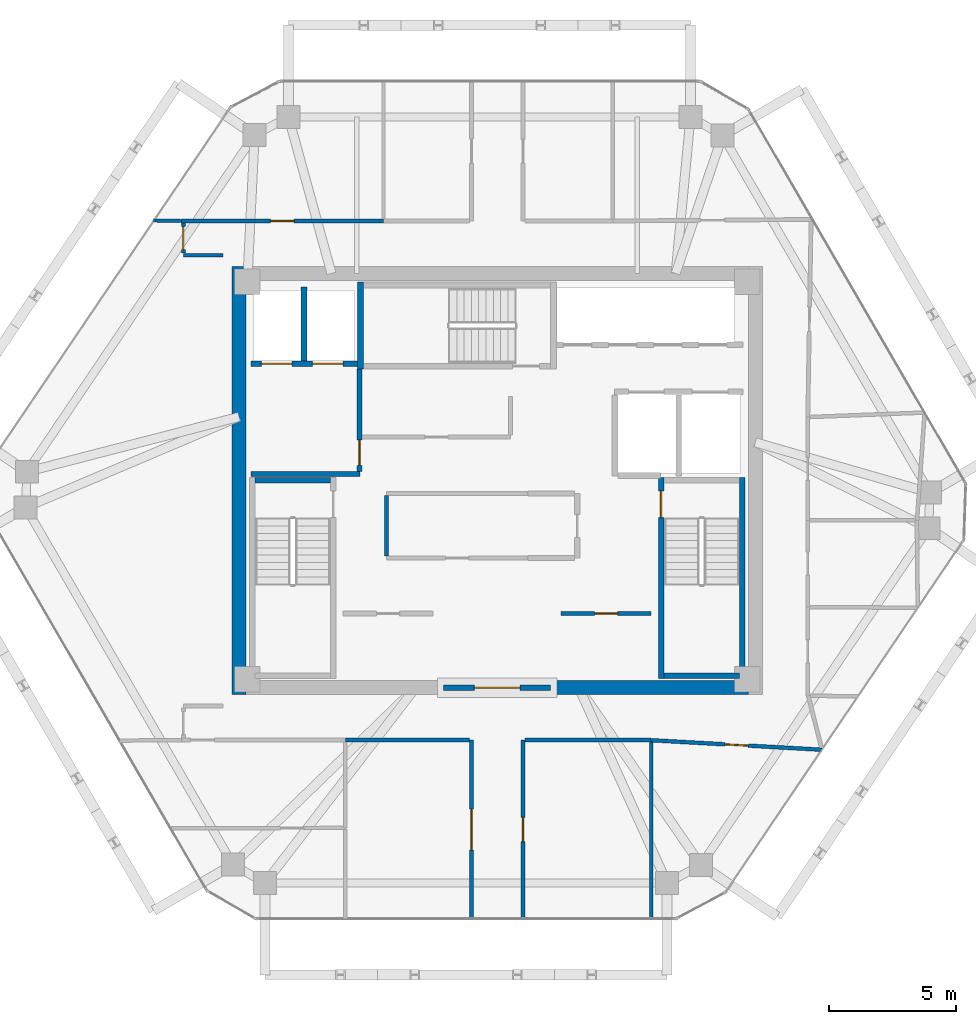
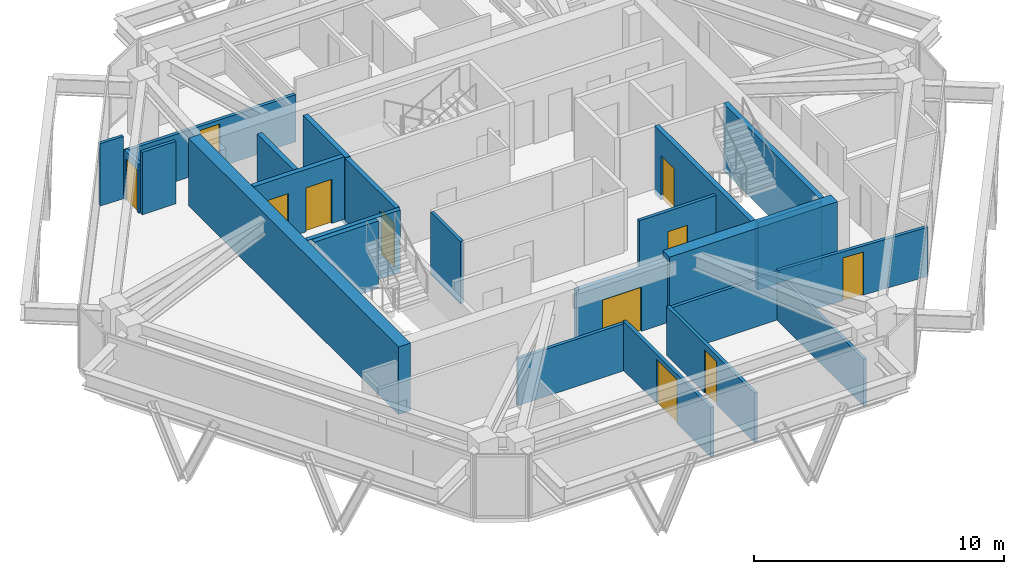
# One storey, part 8 of 11: 24 walls, 11 doors, 11 openings.
"""IFC4 building model written with IfcOpenShell, lengths in metres."""

from ifc_helpers import new_model, si_unit, direction, frame, frame_2d, origin, place, context, subcontext, project, spatial, rectangle, extrude, source, transform, mapped, material, layer, layer_set, type_object, type_shapes, element, fill, save


model = new_model("IFC4")

# Units and contexts
model_context = context("Model", 3, precision=1e-05, world=origin(), true_north=direction((0.0, 1.0)))
body_context = subcontext(model_context, "Body", "Model", "MODEL_VIEW")
ifc_project = project(units=[si_unit("LENGTHUNIT", "METRE"), si_unit("AREAUNIT", "SQUARE_METRE"), si_unit("VOLUMEUNIT", "CUBIC_METRE"), si_unit("PLANEANGLEUNIT", "RADIAN"), si_unit("MASSUNIT", "GRAM", prefix="KILO")], contexts=[model_context])

# Site, building, storey
site_placement = place(None, origin())
site = spatial("IfcSite", under=ifc_project, at=site_placement, CompositionType="ELEMENT")
building_placement = place(site_placement, origin())
building = spatial("IfcBuilding", under=site, at=building_placement, Name="Durnholm Broadcast Tower", CompositionType="ELEMENT")
storey_placement = place(building_placement, frame((0.0, 0.0, 238.10009765625)))
storey = spatial("IfcBuildingStorey", under=building, at=storey_placement, Name="L66", CompositionType="ELEMENT", Elevation=238.10009765625)

# Walls
ifc_material_1 = material(Name="Concrete C70/85", Category="concrete")
ifc_layer_1 = layer(ifc_material_1, 0.550048828125)
ifc_layer_set_1 = layer_set([ifc_layer_1], Name="Concrete C70/85")
wall_type_1 = type_object("IfcWallType", Name="WALL-CW-550", PredefinedType="SHEAR", material=ifc_layer_set_1)
wall_1_placement = place(storey_placement, frame((-10.125, -8.39990234375, 0.0), z_axis=(0.0, 0.0, 1.0), x_axis=(0.0, 1.0, 0.0)))
element("IfcWall", 1, at=wall_1_placement, inside=storey, type_object=wall_type_1, Name="L66 central core shear wall CW-WEST", PredefinedType="SHEAR", context=body_context, shape_type="SweptSolid", body=[
    extrude(rectangle(XDim=16.7998046875, YDim=0.550048828125, at=frame_2d((8.39990234375, 0.0))), origin(), (0.0, 0.0, 1.0), 3.2998046875),
])
wall_2_placement = place(storey_placement, frame((2.10009765625, -8.125, 0.0), z_axis=(0.0, 0.0, 1.0), x_axis=(1.0, 0.0, 0.0)))
element("IfcWall", 2, at=wall_2_placement, inside=storey, type_object=wall_type_1, Name="L66 central core shear wall CW-S2", PredefinedType="SHEAR", context=body_context, shape_type="SweptSolid", body=[
    extrude(rectangle(XDim=7.75, YDim=0.550048828125, at=frame_2d((3.875, 0.0))), origin(), (0.0, 0.0, 1.0), 3.2998046875),
])

# Wall, opening, door
ifc_material_2 = material(Name="Fire-Rated Gypsum Shaftwall", Category="concrete")
ifc_layer_2 = layer(ifc_material_2, 0.199951171875)
ifc_layer_set_2 = layer_set([ifc_layer_2], Name="Fire-Rated Gypsum Shaftwall")
wall_type_2 = type_object("IfcWallType", Name="WALL-LOB-200", PredefinedType="SOLIDWALL", material=ifc_layer_set_2)
wall_3_placement = place(storey_placement, frame((-2.10009765625, -8.125, 0.0), z_axis=(0.0, 0.0, 1.0), x_axis=(1.0, 0.0, 0.0)))
wall_3 = element("IfcWall", 3, at=wall_3_placement, inside=storey, type_object=wall_type_2, Name="L66 south core lobby fire screen", PredefinedType="SOLIDWALL", context=body_context, shape_type="SweptSolid", body=[
    extrude(rectangle(XDim=4.2001953125, YDim=0.199951171875, at=frame_2d((2.10009765625, 0.0))), origin(), (0.0, 0.0, 1.0), 3.044921875),
])
opening_1_placement = place(wall_3_placement, frame((1.199951171875, 0.0, 0.0)))
opening_1 = element("IfcOpeningElement", 4, at=opening_1_placement, cuts=wall_3, Name="Opening DP-60", PredefinedType="OPENING", context=body_context, shape_type="SweptSolid", body=[
    extrude(rectangle(XDim=1.800048828125, YDim=2.14990234375, at=frame_2d((0.89990234375, 1.074951171875))), frame((0.0, 0.10986328125, 0.0), z_axis=(0.0, -1.0, 0.0), x_axis=(1.0, 0.0, 0.0)), (0.0, 0.0, 1.0), 0.219970703125),
])
ifc_material_3 = material(Name="Fire-Rated Double Corridor Door", Category="steel")
ifc_layer_3 = layer(ifc_material_3, 0.050048828125)
ifc_layer_set_3 = layer_set([ifc_layer_3], Name="Fire-Rated Double Corridor Door")
door_type_1 = type_object("IfcDoorType", Name="DOOR-PAIR-FD60", OperationType="DOUBLE_DOOR_SINGLE_SWING", PredefinedType="DOOR", material=ifc_layer_set_3)
shared_shape_1 = source(origin(), body_context, "Body", "SweptSolid", [
    extrude(rectangle(XDim=1.800048828125, YDim=2.14990234375, at=frame_2d((0.89990234375, 1.074951171875))), frame((0.0, 0.02490234375, 0.0), z_axis=(0.0, -1.0, 0.0), x_axis=(1.0, 0.0, 0.0)), (0.0, 0.0, 1.0), 0.050048828125),
])
type_shapes(door_type_1, [shared_shape_1])
door_1_placement = place(opening_1_placement, origin())
door_1 = element("IfcDoor", 5, at=door_1_placement, inside=storey, type_object=door_type_1, Name="L66 south core lobby double fire door", OperationType="DOUBLE_DOOR_SINGLE_SWING", OverallHeight=2.14990234375, OverallWidth=1.800048828125, PredefinedType="DOOR", context=body_context, shape_type="MappedRepresentation", body=[
    mapped(shared_shape_1, transform((0.0, 0.0, 0.0), x_axis=(1.0, 0.0, 0.0), y_axis=(0.0, 1.0, 0.0), z_axis=(0.0, 0.0, 1.0), scale=1.0)),
])
fill(opening_1, door_1)

# Wall
wall_4_placement = place(storey_placement, frame((-9.64990234375, 0.25, 0.0), z_axis=(0.0, 0.0, 1.0), x_axis=(1.0, 0.0, 0.0)))
element("IfcWall", 6, at=wall_4_placement, inside=storey, type_object=wall_type_2, Name="L66 Fire Service Access Elevator lobby south wall", PredefinedType="SOLIDWALL", context=body_context, shape_type="SweptSolid", body=[
    extrude(rectangle(XDim=4.27001953125, YDim=0.199951171875, at=frame_2d((2.135009765625, 0.0))), origin(), (0.0, 0.0, 1.0), 3.044921875),
])

# Wall, opening, door
wall_5_placement = place(storey_placement, frame((-5.39990234375, 0.35400390625, 0.0), z_axis=(0.0, 0.0, 1.0), x_axis=(0.0, 1.0, 0.0)))
wall_5 = element("IfcWall", 7, at=wall_5_placement, inside=storey, type_object=wall_type_2, Name="L66 Fire Service Access Elevator lobby east fire wall", PredefinedType="SOLIDWALL", context=body_context, shape_type="SweptSolid", body=[
    extrude(rectangle(XDim=4.02587890625, YDim=0.199951171875, at=frame_2d((2.012939453125, 0.0))), origin(), (0.0, 0.0, 1.0), 3.044921875),
])
opening_2_placement = place(wall_5_placement, frame((0.24609375, 0.0, 0.0)))
opening_2 = element("IfcOpeningElement", 8, at=opening_2_placement, cuts=wall_5, Name="Opening DL-60L", PredefinedType="OPENING", context=body_context, shape_type="SweptSolid", body=[
    extrude(rectangle(XDim=1.0, YDim=2.14990234375, at=frame_2d((0.5, 1.074951171875))), frame((0.0, 0.10986328125, 0.0), z_axis=(0.0, -1.0, 0.0), x_axis=(1.0, 0.0, 0.0)), (0.0, 0.0, 1.0), 0.219970703125),
])
ifc_material_4 = material(Name="Fire-Rated Timber/Steel Door", Category="steel")
ifc_layer_4 = layer(ifc_material_4, 0.050048828125)
ifc_layer_set_4 = layer_set([ifc_layer_4], Name="Fire-Rated Timber/Steel Door")
door_type_2 = type_object("IfcDoorType", Name="DOOR-LOB-FD60-L", OperationType="NOTDEFINED", PredefinedType="DOOR", material=ifc_layer_set_4)
shared_shape_2 = source(origin(), body_context, "Body", "SweptSolid", [
    extrude(rectangle(XDim=1.0, YDim=2.14990234375, at=frame_2d((0.5, 1.074951171875))), frame((0.0, 0.02490234375, 0.0), z_axis=(0.0, -1.0, 0.0), x_axis=(1.0, 0.0, 0.0)), (0.0, 0.0, 1.0), 0.050048828125),
])
type_shapes(door_type_2, [shared_shape_2])
door_2_placement = place(opening_2_placement, origin())
door_2 = element("IfcDoor", 9, at=door_2_placement, inside=storey, type_object=door_type_2, Name="L66 Fire Service Access Elevator lobby smoke door", OperationType="SINGLE_SWING_LEFT", OverallHeight=2.14990234375, OverallWidth=1.0, PredefinedType="DOOR", context=body_context, shape_type="MappedRepresentation", body=[
    mapped(shared_shape_2, transform((0.0, 0.0, 0.0), x_axis=(1.0, 0.0, 0.0), y_axis=(0.0, 1.0, 0.0), z_axis=(0.0, 0.0, 1.0), scale=1.0)),
])
fill(opening_2, door_2)

# Walls
ifc_material_5 = material(Name="Gypsum Metal Stud Partition", Category="concrete")
ifc_layer_5 = layer(ifc_material_5, 0.135009765625)
ifc_layer_set_5 = layer_set([ifc_layer_5], Name="Gypsum Metal Stud Partition")
wall_type_3 = type_object("IfcWallType", Name="WALL-PART-135", PredefinedType="PARTITIONING", material=ifc_layer_set_5)
wall_6_placement = place(storey_placement, frame((-12.389892578125, 10.181396484375, 0.0), z_axis=(0.0, 0.0, 1.0), x_axis=(-0.999812128272, 0.019383192748, 0.0)))
element("IfcWall", 10, at=wall_6_placement, inside=storey, type_object=wall_type_3, Name="L66 room dividing partition 9.19", PredefinedType="PARTITIONING", context=body_context, shape_type="SweptSolid", body=[
    extrude(rectangle(XDim=1.083251953125, YDim=0.135009765625, at=frame_2d((0.54150390625, 0.0))), origin(), (0.0, 0.0, 1.0), 3.044921875),
])
wall_7_placement = place(storey_placement, frame((6.0400390625, -10.263671875, 0.0), z_axis=(0.0, 0.0, 1.0), x_axis=(0.0, -1.0, 0.0)))
element("IfcWall", 11, at=wall_7_placement, inside=storey, type_object=wall_type_3, Name="L66 room dividing partition 16.17", PredefinedType="PARTITIONING", context=body_context, shape_type="SweptSolid", body=[
    extrude(rectangle(XDim=6.92236328125, YDim=0.135009765625, at=frame_2d((3.461181640625, 0.0))), origin(), (0.0, 0.0, 1.0), 2.30126953125),
])

# Wall, opening, door
ifc_material_6 = material(Name="Acoustic Gypsum Stud Partition", Category="concrete")
ifc_layer_6 = layer(ifc_material_6, 0.14990234375)
ifc_layer_set_6 = layer_set([ifc_layer_6], Name="Acoustic Gypsum Stud Partition")
wall_type_4 = type_object("IfcWallType", Name="WALL-PART-150", PredefinedType="PARTITIONING", material=ifc_layer_set_6)
wall_8_placement = place(storey_placement, frame((2.510009765625, -5.2099609375, 0.0), z_axis=(0.0, 0.0, 1.0), x_axis=(1.0, 0.0, 0.0)))
wall_8 = element("IfcWall", 12, at=wall_8_placement, inside=storey, type_object=wall_type_4, Name="L66 Editorial Beverage Pantry corridor partition", PredefinedType="PARTITIONING", context=body_context, shape_type="SweptSolid", body=[
    extrude(rectangle(XDim=3.530029296875, YDim=0.14990234375, at=frame_2d((1.76513671875, 0.0))), origin(), (0.0, 0.0, 1.0), 3.044921875),
])
opening_3_placement = place(wall_8_placement, frame((1.31494140625, 0.0, 0.0)))
opening_3 = element("IfcOpeningElement", 13, at=opening_3_placement, cuts=wall_8, Name="Opening DC-60R", PredefinedType="OPENING", context=body_context, shape_type="SweptSolid", body=[
    extrude(rectangle(XDim=0.89990234375, YDim=2.050048828125, at=frame_2d((0.449951171875, 1.02490234375))), frame((0.0, 0.0849609375, 0.0), z_axis=(0.0, -1.0, 0.0), x_axis=(1.0, 0.0, 0.0)), (0.0, 0.0, 1.0), 0.169921875),
])
ifc_material_7 = material(Name="Fire-Rated Core Service Door", Category="steel")
ifc_layer_7 = layer(ifc_material_7, 0.050048828125)
ifc_layer_set_7 = layer_set([ifc_layer_7], Name="Fire-Rated Core Service Door")
door_type_3 = type_object("IfcDoorType", Name="DOOR-CORE-FD60-R", OperationType="NOTDEFINED", PredefinedType="DOOR", material=ifc_layer_set_7)
shared_shape_3 = source(origin(), body_context, "Body", "SweptSolid", [
    extrude(rectangle(XDim=0.89990234375, YDim=2.050048828125, at=frame_2d((0.449951171875, 1.02490234375))), frame((0.0, 0.02490234375, 0.0), z_axis=(0.0, -1.0, 0.0), x_axis=(1.0, 0.0, 0.0)), (0.0, 0.0, 1.0), 0.050048828125),
])
type_shapes(door_type_3, [shared_shape_3])
door_3_placement = place(opening_3_placement, origin())
door_3 = element("IfcDoor", 14, at=door_3_placement, inside=storey, type_object=door_type_3, Name="L66 Editorial Beverage Pantry entrance door", OperationType="SINGLE_SWING_RIGHT", OverallHeight=2.050048828125, OverallWidth=0.89990234375, PredefinedType="DOOR", context=body_context, shape_type="MappedRepresentation", body=[
    mapped(shared_shape_3, transform((0.0, 0.0, 0.0), x_axis=(1.0, 0.0, 0.0), y_axis=(0.0, 1.0, 0.0), z_axis=(0.0, 0.0, 1.0), scale=1.0)),
])
fill(opening_3, door_3)

# Wall
wall_9_placement = place(storey_placement, frame((-4.340087890625, -2.9609375, 0.0), z_axis=(0.0, 0.0, 1.0), x_axis=(0.0, 1.0, 0.0)))
element("IfcWall", 15, at=wall_9_placement, inside=storey, type_object=wall_type_4, Name="L66 Broadcast Equipment Store corridor partition", PredefinedType="PARTITIONING", context=body_context, shape_type="SweptSolid", body=[
    extrude(rectangle(XDim=2.371826171875, YDim=0.14990234375, at=frame_2d((1.18603515625, 0.0))), origin(), (0.0, 0.0, 1.0), 3.044921875),
])

# Wall, opening, door
wall_10_placement = place(storey_placement, frame((-4.4599609375, 10.179931640625, 0.0), z_axis=(0.0, 0.0, 1.0), x_axis=(-1.0, 0.0, 0.0)))
wall_10 = element("IfcWall", 16, at=wall_10_placement, inside=storey, type_object=wall_type_4, Name="L66 Open Plan Broadcast Workspace 2 corridor partition", PredefinedType="PARTITIONING", context=body_context, shape_type="SweptSolid", body=[
    extrude(rectangle(XDim=7.929931640625, YDim=0.14990234375, at=frame_2d((3.96484375, 0.0))), origin(), (0.0, 0.0, 1.0), 2.30126953125),
])
opening_4_placement = place(wall_10_placement, frame((3.5048828125, 0.0, 0.0)))
opening_4 = element("IfcOpeningElement", 17, at=opening_4_placement, cuts=wall_10, Name="Opening DR-92L", PredefinedType="OPENING", context=body_context, shape_type="SweptSolid", body=[
    extrude(rectangle(XDim=0.919921875, YDim=2.10009765625, at=frame_2d((0.4599609375, 1.050048828125))), frame((0.0, 0.0849609375, 0.0), z_axis=(0.0, -1.0, 0.0), x_axis=(1.0, 0.0, 0.0)), (0.0, 0.0, 1.0), 0.169921875),
])
ifc_material_8 = material(Name="Oak Veneer Office Door", Category="wood")
ifc_layer_8 = layer(ifc_material_8, 0.050048828125)
ifc_layer_set_8 = layer_set([ifc_layer_8], Name="Oak Veneer Office Door")
door_type_4 = type_object("IfcDoorType", Name="DOOR-RM-920L", OperationType="NOTDEFINED", PredefinedType="DOOR", material=ifc_layer_set_8)
shared_shape_4 = source(origin(), body_context, "Body", "SweptSolid", [
    extrude(rectangle(XDim=0.919921875, YDim=2.10009765625, at=frame_2d((0.4599609375, 1.050048828125))), frame((0.0, 0.02490234375, 0.0), z_axis=(0.0, -1.0, 0.0), x_axis=(1.0, 0.0, 0.0)), (0.0, 0.0, 1.0), 0.050048828125),
])
type_shapes(door_type_4, [shared_shape_4])
door_4_placement = place(opening_4_placement, origin())
door_4 = element("IfcDoor", 18, at=door_4_placement, inside=storey, type_object=door_type_4, Name="L66 Open Plan Broadcast Workspace 2 entrance door", OperationType="SINGLE_SWING_LEFT", OverallHeight=2.10009765625, OverallWidth=0.919921875, PredefinedType="DOOR", context=body_context, shape_type="MappedRepresentation", body=[
    mapped(shared_shape_4, transform((0.0, 0.0, 0.0), x_axis=(1.0, 0.0, 0.0), y_axis=(0.0, 1.0, 0.0), z_axis=(0.0, 0.0, 1.0), scale=1.0)),
])
fill(opening_4, door_4)

wall_11_placement = place(storey_placement, frame((-1.010009765625, -10.179931640625, 0.0), z_axis=(0.0, 0.0, 1.0), x_axis=(0.0, -1.0, 0.0)))
wall_11 = element("IfcWall", 19, at=wall_11_placement, inside=storey, type_object=wall_type_4, Name="L66 International Council Hall corridor partition", PredefinedType="PARTITIONING", context=body_context, shape_type="SweptSolid", body=[
    extrude(rectangle(XDim=7.006103515625, YDim=0.14990234375, at=frame_2d((3.5029296875, 0.0))), origin(), (0.0, 0.0, 1.0), 2.398681640625),
])
opening_5_placement = place(wall_11_placement, frame((2.702880859375, 0.0, 0.0)))
opening_5 = element("IfcOpeningElement", 20, at=opening_5_placement, cuts=wall_11, Name="Opening DST-160", PredefinedType="OPENING", context=body_context, shape_type="SweptSolid", body=[
    extrude(rectangle(XDim=1.60009765625, YDim=2.14990234375, at=frame_2d((0.800048828125, 1.074951171875))), frame((0.0, 0.0849609375, 0.0), z_axis=(0.0, -1.0, 0.0), x_axis=(1.0, 0.0, 0.0)), (0.0, 0.0, 1.0), 0.169921875),
])
ifc_material_9 = material(Name="Acoustic Broadcast Studio Sound-Lock Door", Category="steel")
ifc_layer_9 = layer(ifc_material_9, 0.050048828125)
ifc_layer_set_9 = layer_set([ifc_layer_9], Name="Acoustic Broadcast Studio Sound-Lock Door")
door_type_5 = type_object("IfcDoorType", Name="DOOR-STU-1600", OperationType="DOUBLE_DOOR_SINGLE_SWING", PredefinedType="DOOR", material=ifc_layer_set_9)
shared_shape_5 = source(origin(), body_context, "Body", "SweptSolid", [
    extrude(rectangle(XDim=1.60009765625, YDim=2.14990234375, at=frame_2d((0.800048828125, 1.074951171875))), frame((0.0, 0.02490234375, 0.0), z_axis=(0.0, -1.0, 0.0), x_axis=(1.0, 0.0, 0.0)), (0.0, 0.0, 1.0), 0.050048828125),
])
type_shapes(door_type_5, [shared_shape_5])
door_5_placement = place(opening_5_placement, origin())
door_5 = element("IfcDoor", 21, at=door_5_placement, inside=storey, type_object=door_type_5, Name="L66 International Council Hall entrance door", OperationType="DOUBLE_DOOR_SINGLE_SWING", OverallHeight=2.14990234375, OverallWidth=1.60009765625, PredefinedType="DOOR", context=body_context, shape_type="MappedRepresentation", body=[
    mapped(shared_shape_5, transform((0.0, 0.0, 0.0), x_axis=(1.0, 0.0, 0.0), y_axis=(0.0, 1.0, 0.0), z_axis=(0.0, 0.0, 1.0), scale=1.0)),
])
fill(opening_5, door_5)

# Wall
wall_12_placement = place(storey_placement, frame((-5.9599609375, -10.179931640625, 0.0), z_axis=(0.0, 0.0, 1.0), x_axis=(1.0, 0.0, 0.0)))
element("IfcWall", 22, at=wall_12_placement, inside=storey, type_object=wall_type_4, Name="L66 International Council Hall corridor partition", PredefinedType="PARTITIONING", context=body_context, shape_type="SweptSolid", body=[
    extrude(rectangle(XDim=4.870849609375, YDim=0.14990234375, at=frame_2d((2.435546875, 0.0))), origin(), (0.0, 0.0, 1.0), 2.30126953125),
])

# Wall, opening, door
wall_13_placement = place(storey_placement, frame((1.010009765625, -17.18603515625, 0.0), z_axis=(0.0, 0.0, 1.0), x_axis=(0.0, 1.0, 0.0)))
wall_13 = element("IfcWall", 23, at=wall_13_placement, inside=storey, type_object=wall_type_4, Name="L66 Global Bureaus Meeting Room corridor partition", PredefinedType="PARTITIONING", context=body_context, shape_type="SweptSolid", body=[
    extrude(rectangle(XDim=7.006103515625, YDim=0.14990234375, at=frame_2d((3.5029296875, 0.0))), origin(), (0.0, 0.0, 1.0), 2.398681640625),
])
opening_6_placement = place(wall_13_placement, frame((3.028076171875, 0.0, 0.0)))
opening_6 = element("IfcOpeningElement", 24, at=opening_6_placement, cuts=wall_13, Name="Opening DR-95L", PredefinedType="OPENING", context=body_context, shape_type="SweptSolid", body=[
    extrude(rectangle(XDim=0.949951171875, YDim=2.10009765625, at=frame_2d((0.47509765625, 1.050048828125))), frame((0.0, 0.0849609375, 0.0), z_axis=(0.0, -1.0, 0.0), x_axis=(1.0, 0.0, 0.0)), (0.0, 0.0, 1.0), 0.169921875),
])
ifc_material_10 = material(Name="Acoustic Oak Veneer Timber Door", Category="wood")
ifc_layer_10 = layer(ifc_material_10, 0.050048828125)
ifc_layer_set_10 = layer_set([ifc_layer_10], Name="Acoustic Oak Veneer Timber Door")
door_type_6 = type_object("IfcDoorType", Name="DOOR-RM-950L", OperationType="NOTDEFINED", PredefinedType="DOOR", material=ifc_layer_set_10)
shared_shape_6 = source(origin(), body_context, "Body", "SweptSolid", [
    extrude(rectangle(XDim=0.949951171875, YDim=2.10009765625, at=frame_2d((0.47509765625, 1.050048828125))), frame((0.0, 0.02490234375, 0.0), z_axis=(0.0, -1.0, 0.0), x_axis=(1.0, 0.0, 0.0)), (0.0, 0.0, 1.0), 0.050048828125),
])
type_shapes(door_type_6, [shared_shape_6])
door_6_placement = place(opening_6_placement, origin())
door_6 = element("IfcDoor", 25, at=door_6_placement, inside=storey, type_object=door_type_6, Name="L66 Global Bureaus Meeting Room entrance door", OperationType="SINGLE_SWING_LEFT", OverallHeight=2.10009765625, OverallWidth=0.949951171875, PredefinedType="DOOR", context=body_context, shape_type="MappedRepresentation", body=[
    mapped(shared_shape_6, transform((0.0, 0.0, 0.0), x_axis=(1.0, 0.0, 0.0), y_axis=(0.0, 1.0, 0.0), z_axis=(0.0, 0.0, 1.0), scale=1.0)),
])
fill(opening_6, door_6)

# Wall
wall_14_placement = place(storey_placement, frame((1.089111328125, -10.179931640625, 0.0), z_axis=(0.0, 0.0, 1.0), x_axis=(1.0, 0.0, 0.0)))
element("IfcWall", 26, at=wall_14_placement, inside=storey, type_object=wall_type_4, Name="L66 Global Bureaus Meeting Room corridor partition", PredefinedType="PARTITIONING", context=body_context, shape_type="SweptSolid", body=[
    extrude(rectangle(XDim=4.950927734375, YDim=0.14990234375, at=frame_2d((2.4755859375, 0.0))), origin(), (0.0, 0.0, 1.0), 2.30126953125),
])

# Wall, opening, door
wall_15_placement = place(storey_placement, frame((6.0400390625, -10.1845703125, 0.0), z_axis=(0.0, 0.0, 1.0), x_axis=(0.998451046252, -0.055637291801, 0.0)))
wall_15 = element("IfcWall", 27, at=wall_15_placement, inside=storey, type_object=wall_type_4, Name="L66 Open Plan Broadcast Workspace 4 corridor partition", PredefinedType="PARTITIONING", context=body_context, shape_type="SweptSolid", body=[
    extrude(rectangle(XDim=6.70947265625, YDim=0.14990234375, at=frame_2d((3.354736328125, 0.0))), origin(), (0.0, 0.0, 1.0), 2.398681640625),
])
opening_7_placement = place(wall_15_placement, frame((2.89453125, 0.0, 0.0)))
opening_7 = element("IfcOpeningElement", 28, at=opening_7_placement, cuts=wall_15, Name="Opening DR-92R", PredefinedType="OPENING", context=body_context, shape_type="SweptSolid", body=[
    extrude(rectangle(XDim=0.919921875, YDim=2.10009765625, at=frame_2d((0.4599609375, 1.050048828125))), frame((0.0, 0.0849609375, 0.0), z_axis=(0.0, -1.0, 0.0), x_axis=(1.0, 0.0, 0.0)), (0.0, 0.0, 1.0), 0.169921875),
])
ifc_layer_11 = layer(ifc_material_8, 0.050048828125)
ifc_layer_set_11 = layer_set([ifc_layer_11], Name="Oak Veneer Office Door")
door_type_7 = type_object("IfcDoorType", Name="DOOR-RM-920R", OperationType="NOTDEFINED", PredefinedType="DOOR", material=ifc_layer_set_11)
shared_shape_7 = source(origin(), body_context, "Body", "SweptSolid", [
    extrude(rectangle(XDim=0.919921875, YDim=2.10009765625, at=frame_2d((0.4599609375, 1.050048828125))), frame((0.0, 0.02490234375, 0.0), z_axis=(0.0, -1.0, 0.0), x_axis=(1.0, 0.0, 0.0)), (0.0, 0.0, 1.0), 0.050048828125),
])
type_shapes(door_type_7, [shared_shape_7])
door_7_placement = place(opening_7_placement, origin())
door_7 = element("IfcDoor", 29, at=door_7_placement, inside=storey, type_object=door_type_7, Name="L66 Open Plan Broadcast Workspace 4 entrance door", OperationType="SINGLE_SWING_RIGHT", OverallHeight=2.10009765625, OverallWidth=0.919921875, PredefinedType="DOOR", context=body_context, shape_type="MappedRepresentation", body=[
    mapped(shared_shape_7, transform((0.0, 0.0, 0.0), x_axis=(1.0, 0.0, 0.0), y_axis=(0.0, 1.0, 0.0), z_axis=(0.0, 0.0, 1.0), scale=1.0)),
])
fill(opening_7, door_7)

# Wall
wall_16_placement = place(storey_placement, frame((-12.31005859375, 8.840087890625, 0.0), z_axis=(0.0, 0.0, 1.0), x_axis=(1.0, 0.0, 0.0)))
element("IfcWall", 30, at=wall_16_placement, inside=storey, type_object=wall_type_4, Name="L66 Pantry Kitchen corridor partition", PredefinedType="PARTITIONING", context=body_context, shape_type="SweptSolid", body=[
    extrude(rectangle(XDim=1.550048828125, YDim=0.14990234375, at=frame_2d((0.77490234375, 0.0))), origin(), (0.0, 0.0, 1.0), 3.044921875),
])

# Wall, opening, door
wall_17_placement = place(storey_placement, frame((-12.31005859375, 10.10107421875, 0.0), z_axis=(0.0, 0.0, 1.0), x_axis=(0.0, -1.0, 0.0)))
wall_17 = element("IfcWall", 31, at=wall_17_placement, inside=storey, type_object=wall_type_4, Name="L66 Pantry Kitchen corridor partition", PredefinedType="PARTITIONING", context=body_context, shape_type="SweptSolid", body=[
    extrude(rectangle(XDim=1.18212890625, YDim=0.14990234375, at=frame_2d((0.591064453125, 0.0))), origin(), (0.0, 0.0, 1.0), 2.398681640625),
])
opening_8_placement = place(wall_17_placement, frame((0.14111328125, 0.0, 0.0)))
opening_8 = element("IfcOpeningElement", 32, at=opening_8_placement, cuts=wall_17, Name="Opening DW-90R", PredefinedType="OPENING", context=body_context, shape_type="SweptSolid", body=[
    extrude(rectangle(XDim=0.89990234375, YDim=2.050048828125, at=frame_2d((0.449951171875, 1.02490234375))), frame((0.0, 0.0849609375, 0.0), z_axis=(0.0, -1.0, 0.0), x_axis=(1.0, 0.0, 0.0)), (0.0, 0.0, 1.0), 0.169921875),
])
ifc_material_11 = material(Name="Laminate Restroom Door", Category="steel")
ifc_layer_12 = layer(ifc_material_11, 0.050048828125)
ifc_layer_set_12 = layer_set([ifc_layer_12], Name="Laminate Restroom Door")
door_type_8 = type_object("IfcDoorType", Name="DOOR-WC-900R", OperationType="NOTDEFINED", PredefinedType="DOOR", material=ifc_layer_set_12)
shared_shape_8 = source(origin(), body_context, "Body", "SweptSolid", [
    extrude(rectangle(XDim=0.89990234375, YDim=2.050048828125, at=frame_2d((0.449951171875, 1.02490234375))), frame((0.0, 0.02490234375, 0.0), z_axis=(0.0, -1.0, 0.0), x_axis=(1.0, 0.0, 0.0)), (0.0, 0.0, 1.0), 0.050048828125),
])
type_shapes(door_type_8, [shared_shape_8])
door_8_placement = place(opening_8_placement, origin())
door_8 = element("IfcDoor", 33, at=door_8_placement, inside=storey, type_object=door_type_8, Name="L66 Pantry Kitchen entrance door", OperationType="SINGLE_SWING_RIGHT", OverallHeight=2.050048828125, OverallWidth=0.89990234375, PredefinedType="DOOR", context=body_context, shape_type="MappedRepresentation", body=[
    mapped(shared_shape_8, transform((0.0, 0.0, 0.0), x_axis=(1.0, 0.0, 0.0), y_axis=(0.0, 1.0, 0.0), z_axis=(0.0, 0.0, 1.0), scale=1.0)),
])
fill(opening_8, door_8)

# Wall, openings, doors
ifc_material_12 = material(Name="Concrete Blockwork C30/37", Category="masonry")
ifc_layer_13 = layer(ifc_material_12, 0.219970703125)
ifc_layer_set_13 = layer_set([ifc_layer_13], Name="Concrete Blockwork C30/37")
wall_type_5 = type_object("IfcWallType", Name="WALL-SHAFT-220", PredefinedType="SOLIDWALL", material=ifc_layer_set_13)
wall_18_placement = place(storey_placement, frame((-9.64990234375, 4.580078125, 0.0), z_axis=(0.0, 0.0, 1.0), x_axis=(1.0, 0.0, 0.0)))
wall_18 = element("IfcWall", 34, at=wall_18_placement, inside=storey, type_object=wall_type_5, Name="L66 FSAE hoistway front fire wall", PredefinedType="SOLIDWALL", context=body_context, shape_type="SweptSolid", body=[
    extrude(rectangle(XDim=4.1748046875, YDim=0.219970703125, at=frame_2d((2.08740234375, 0.0))), origin(), (0.0, 0.0, 1.0), 3.044921875),
])
opening_9_placement = place(wall_18_placement, frame((0.39990234375, 0.0, 0.0)))
opening_9 = element("IfcOpeningElement", 35, at=opening_9_placement, cuts=wall_18, Name="Opening LD-FSAE-2", PredefinedType="OPENING", context=body_context, shape_type="SweptSolid", body=[
    extrude(rectangle(XDim=1.199951171875, YDim=2.14990234375, at=frame_2d((0.60009765625, 1.074951171875))), frame((0.0, 0.1201171875, 0.0), z_axis=(0.0, -1.0, 0.0), x_axis=(1.0, 0.0, 0.0)), (0.0, 0.0, 1.0), 0.239990234375),
])
opening_10_placement = place(wall_18_placement, frame((2.39990234375, 0.0, 0.0)))
opening_10 = element("IfcOpeningElement", 36, at=opening_10_placement, cuts=wall_18, Name="Opening LD-FSAE-1", PredefinedType="OPENING", context=body_context, shape_type="SweptSolid", body=[
    extrude(rectangle(XDim=1.199951171875, YDim=2.14990234375, at=frame_2d((0.60009765625, 1.074951171875))), frame((0.0, 0.1201171875, 0.0), z_axis=(0.0, -1.0, 0.0), x_axis=(1.0, 0.0, 0.0)), (0.0, 0.0, 1.0), 0.239990234375),
])
ifc_material_13 = material(Name="Fire Service Access Sliding Landing Door", Category="steel")
ifc_layer_14 = layer(ifc_material_13, 0.050048828125)
ifc_layer_set_14 = layer_set([ifc_layer_14], Name="Fire Service Access Sliding Landing Door")
door_type_9 = type_object("IfcDoorType", Name="DOOR-LIFT-FSAE", OperationType="DOUBLE_DOOR_SLIDING", PredefinedType="DOOR", material=ifc_layer_set_14)
shared_shape_9 = source(origin(), body_context, "Body", "SweptSolid", [
    extrude(rectangle(XDim=1.199951171875, YDim=2.14990234375, at=frame_2d((0.60009765625, 1.074951171875))), frame((0.0, 0.02490234375, 0.0), z_axis=(0.0, -1.0, 0.0), x_axis=(1.0, 0.0, 0.0)), (0.0, 0.0, 1.0), 0.050048828125),
])
type_shapes(door_type_9, [shared_shape_9])
door_9_placement = place(opening_9_placement, origin())
door_9 = element("IfcDoor", 37, at=door_9_placement, inside=storey, type_object=door_type_9, Name="L66 Fire Service Access Elevator FSAE-2 sliding landing door", OperationType="DOUBLE_DOOR_SLIDING", OverallHeight=2.14990234375, OverallWidth=1.199951171875, PredefinedType="DOOR", context=body_context, shape_type="MappedRepresentation", body=[
    mapped(shared_shape_9, transform((0.0, 0.0, 0.0), x_axis=(1.0, 0.0, 0.0), y_axis=(0.0, 1.0, 0.0), z_axis=(0.0, 0.0, 1.0), scale=1.0)),
])
fill(opening_9, door_9)
door_10_placement = place(opening_10_placement, origin())
door_10 = element("IfcDoor", 38, at=door_10_placement, inside=storey, type_object=door_type_9, Name="L66 Fire Service Access Elevator FSAE-1 sliding landing door", OperationType="DOUBLE_DOOR_SLIDING", OverallHeight=2.14990234375, OverallWidth=1.199951171875, PredefinedType="DOOR", context=body_context, shape_type="MappedRepresentation", body=[
    mapped(shared_shape_9, transform((0.0, 0.0, 0.0), x_axis=(1.0, 0.0, 0.0), y_axis=(0.0, 1.0, 0.0), z_axis=(0.0, 0.0, 1.0), scale=1.0)),
])
fill(opening_10, door_10)

# Walls
wall_19_placement = place(storey_placement, frame((-7.580078125, 4.694091796875, 0.0), z_axis=(0.0, 0.0, 1.0), x_axis=(0.0, 1.0, 0.0)))
element("IfcWall", 39, at=wall_19_placement, inside=storey, type_object=wall_type_5, Name="L66 FSAE shaft divider wall", PredefinedType="SOLIDWALL", context=body_context, shape_type="SweptSolid", body=[
    extrude(rectangle(XDim=2.906005859375, YDim=0.219970703125, at=frame_2d((1.453125, 0.0))), origin(), (0.0, 0.0, 1.0), 3.044921875),
])
ifc_material_14 = material(Name="Concrete C50/60", Category="concrete")
ifc_layer_15 = layer(ifc_material_14, 0.219970703125)
ifc_layer_set_15 = layer_set([ifc_layer_15], Name="Concrete C50/60")
wall_type_6 = type_object("IfcWallType", Name="WALL-SW-220", PredefinedType="SHEAR", material=ifc_layer_set_15)
wall_20_placement = place(storey_placement, frame((-6.5400390625, 0.010009765625, -0.239990234375), z_axis=(0.0, 0.0, 1.0), x_axis=(-1.0, 0.0, 0.0)))
element("IfcWall", 40, at=wall_20_placement, inside=storey, type_object=wall_type_6, Name="L66 stair ST-1 structural shaft wall N", PredefinedType="SHEAR", context=body_context, shape_type="SweptSolid", body=[
    extrude(rectangle(XDim=2.9599609375, YDim=0.219970703125, at=frame_2d((1.47998046875, 0.0))), origin(), (0.0, 0.0, 1.0), 3.2998046875),
])
wall_21_placement = place(storey_placement, frame((9.610107421875, -7.77001953125, -0.239990234375), z_axis=(0.0, 0.0, 1.0), x_axis=(0.0, 1.0, 0.0)))
element("IfcWall", 41, at=wall_21_placement, inside=storey, type_object=wall_type_6, Name="L66 stair ST-2 structural shaft wall E", PredefinedType="SHEAR", context=body_context, shape_type="SweptSolid", body=[
    extrude(rectangle(XDim=7.89013671875, YDim=0.219970703125, at=frame_2d((3.945068359375, 0.0))), origin(), (0.0, 0.0, 1.0), 3.2998046875),
])

# Wall, opening, door
wall_22_placement = place(storey_placement, frame((6.429931640625, 0.1201171875, -0.239990234375), z_axis=(0.0, 0.0, 1.0), x_axis=(0.0, -1.0, 0.0)))
wall_22 = element("IfcWall", 42, at=wall_22_placement, inside=storey, type_object=wall_type_6, Name="L66 stair ST-2 structural shaft wall W", PredefinedType="SHEAR", context=body_context, shape_type="SweptSolid", body=[
    extrude(rectangle(XDim=7.89013671875, YDim=0.219970703125, at=frame_2d((3.945068359375, 0.0))), origin(), (0.0, 0.0, 1.0), 3.2998046875),
])
opening_11_placement = place(wall_22_placement, frame((0.52001953125, 0.0, 0.0)))
opening_11 = element("IfcOpeningElement", 43, at=opening_11_placement, cuts=wall_22, Name="Opening DS-90R", PredefinedType="OPENING", context=body_context, shape_type="SweptSolid", body=[
    extrude(rectangle(XDim=1.050048828125, YDim=2.14990234375, at=frame_2d((0.52490234375, 1.074951171875))), frame((0.0, 0.1201171875, 0.0), z_axis=(0.0, -1.0, 0.0), x_axis=(1.0, 0.0, 0.0)), (0.0, 0.0, 1.0), 0.239990234375),
])
ifc_material_15 = material(Name="Fire-Rated Steel Door", Category="steel")
ifc_layer_16 = layer(ifc_material_15, 0.050048828125)
ifc_layer_set_16 = layer_set([ifc_layer_16], Name="Fire-Rated Steel Door")
door_type_10 = type_object("IfcDoorType", Name="DOOR-ST-FD90-R", OperationType="NOTDEFINED", PredefinedType="DOOR", material=ifc_layer_set_16)
shared_shape_10 = source(origin(), body_context, "Body", "SweptSolid", [
    extrude(rectangle(XDim=1.050048828125, YDim=2.14990234375, at=frame_2d((0.52490234375, 1.074951171875))), frame((0.0, 0.02490234375, 0.0), z_axis=(0.0, -1.0, 0.0), x_axis=(1.0, 0.0, 0.0)), (0.0, 0.0, 1.0), 0.050048828125),
])
type_shapes(door_type_10, [shared_shape_10])
door_11_placement = place(opening_11_placement, origin())
door_11 = element("IfcDoor", 44, at=door_11_placement, inside=storey, type_object=door_type_10, Name="L66 exit stair ST-2 fire door", OperationType="SINGLE_SWING_RIGHT", OverallHeight=2.14990234375, OverallWidth=1.050048828125, PredefinedType="DOOR", context=body_context, shape_type="MappedRepresentation", body=[
    mapped(shared_shape_10, transform((0.0, 0.0, 0.0), x_axis=(1.0, 0.0, 0.0), y_axis=(0.0, 1.0, 0.0), z_axis=(0.0, 0.0, 1.0), scale=1.0)),
])
fill(opening_11, door_11)

# Walls
wall_23_placement = place(storey_placement, frame((6.5400390625, -7.659912109375, -0.239990234375), z_axis=(0.0, 0.0, 1.0), x_axis=(1.0, 0.0, 0.0)))
element("IfcWall", 45, at=wall_23_placement, inside=storey, type_object=wall_type_6, Name="L66 stair ST-2 structural shaft wall S", PredefinedType="SHEAR", context=body_context, shape_type="SweptSolid", body=[
    extrude(rectangle(XDim=2.9599609375, YDim=0.219970703125, at=frame_2d((1.47998046875, 0.0))), origin(), (0.0, 0.0, 1.0), 3.2998046875),
])
wall_24_placement = place(storey_placement, frame((-5.360107421875, 7.780029296875, -0.239990234375), z_axis=(0.0, 0.0, 1.0), x_axis=(0.0, -1.0, 0.0)))
element("IfcWall", 46, at=wall_24_placement, inside=storey, type_object=wall_type_6, Name="L66 stair ST-3 structural shaft wall W", PredefinedType="SHEAR", context=body_context, shape_type="SweptSolid", body=[
    extrude(rectangle(XDim=3.400146484375, YDim=0.219970703125, at=frame_2d((1.7001953125, 0.0))), origin(), (0.0, 0.0, 1.0), 3.2998046875),
])

save(model, "model.ifc")
